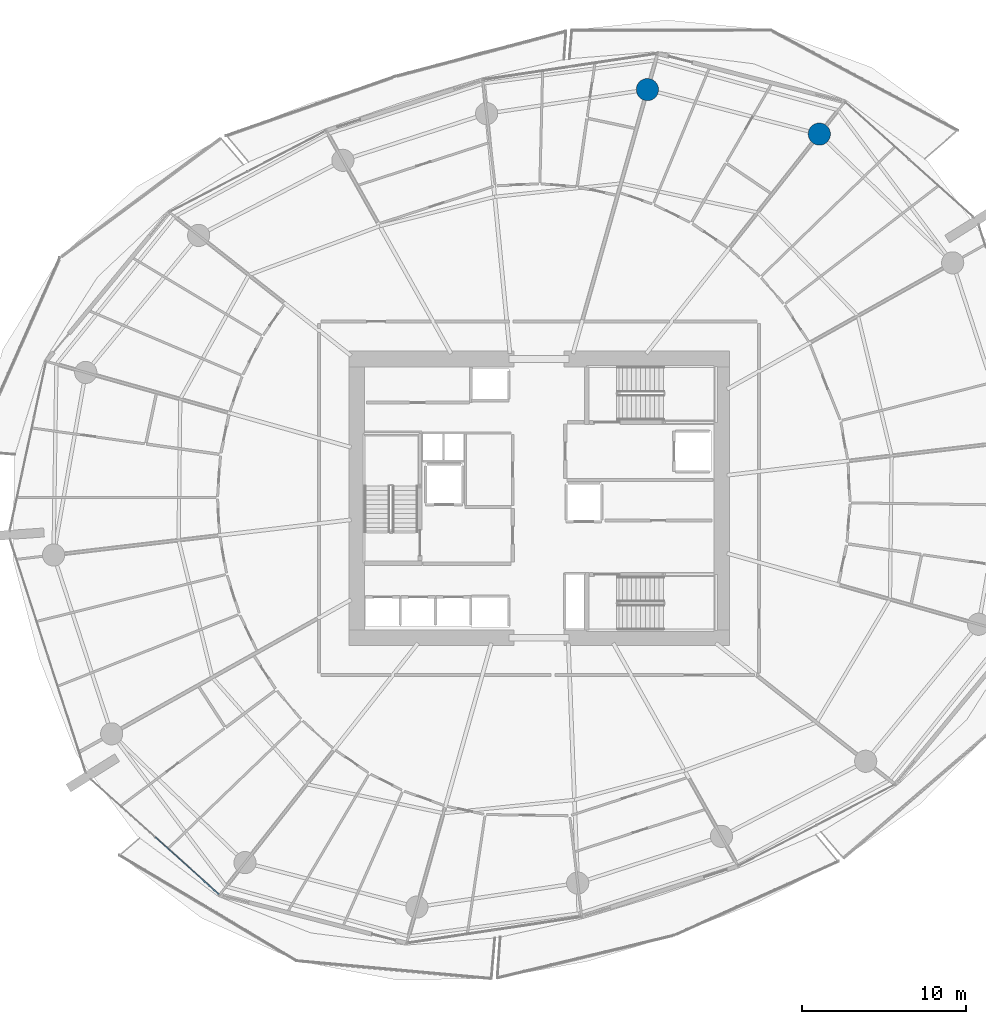
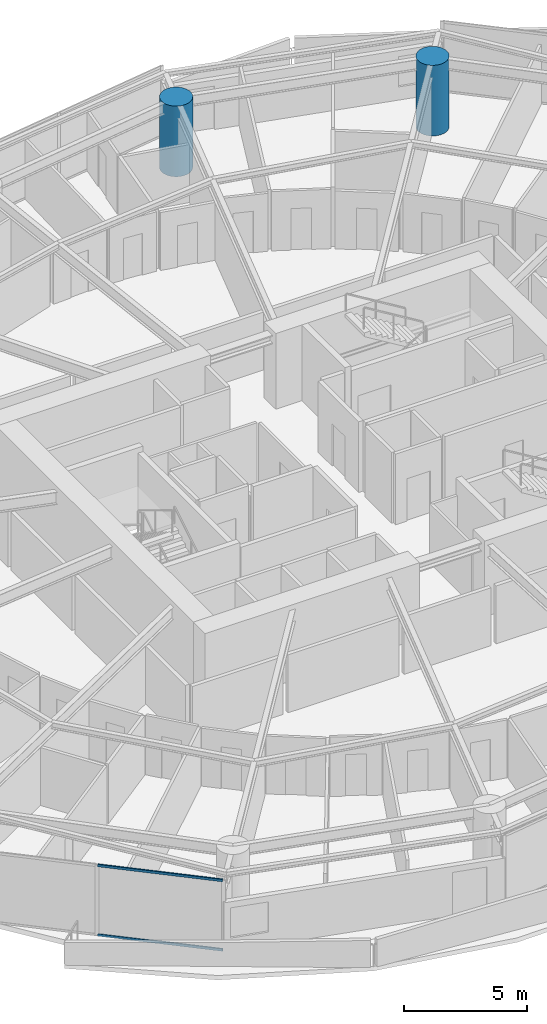
# One storey, part 6 of 31: 2 columns, 2 members, 1 element without a shape of its own.
"""IFC4 building model written with IfcOpenShell, lengths in metres."""

import ifcopenshell
import ifcopenshell.guid

model = None  # the IFC model being written
_history = None  # IfcOwnerHistory: only IFC2X3 demands one
_inside = {}  # id of a spatial element -> (the spatial element, [elements in it])
_under = {}  # id of a project, library or spatial element -> (it, [spatial elements below it])
_declared = {}  # id of a project -> (the project, [libraries it declares])
_typed = {}  # id of a type object -> (the type object, [elements of that type])
_made_of = {}  # id of a material, layer set ... -> (it, [elements and type objects made of it])


def new_model(schema):
    """Start an empty IFC model of exactly this schema.

    Asked for "IFC4X3", IfcOpenShell would pick the latest addendum, in which some entities
    have other attributes; the version numbers below select the first issue.
    IFC2X3 requires an IfcOwnerHistory on every rooted entity: one is made here for all.
    """
    global model, _history
    if schema == "IFC4X3":
        model = ifcopenshell.file(schema_version=(4, 3, 0, 0))
    else:
        model = ifcopenshell.file(schema=schema)
    _inside.clear()
    _under.clear()
    _declared.clear()
    _typed.clear()
    _made_of.clear()
    _history = None
    if model.schema == "IFC2X3":
        org = make("IfcOrganization", Name="unknown")
        user = make(
            "IfcPersonAndOrganization",
            ThePerson=make("IfcPerson", FamilyName="unknown"),
            TheOrganization=org,
        )
        app = make(
            "IfcApplication",
            ApplicationDeveloper=org,
            Version="unknown",
            ApplicationFullName="unknown",
            ApplicationIdentifier="unknown",
        )
        _history = make(
            "IfcOwnerHistory",
            OwningUser=user,
            OwningApplication=app,
            ChangeAction="ADDED",
            CreationDate=0,
        )
    return model


def make(cls, **values):
    """One entity of the class cls with the attributes given. An attribute that is None is left unset."""
    return model.create_entity(
        cls, **{name: value for name, value in values.items() if value is not None}
    )


def rooted(cls, **values):
    """An entity with a GlobalId (a new one), such as an element, a storey or a relation."""
    return make(cls, GlobalId=ifcopenshell.guid.new(), OwnerHistory=_history, **values)


def si_unit(unit_type, name, prefix=None):
    """IfcSIUnit, for example si_unit("LENGTHUNIT", "METRE", prefix="MILLI")."""
    return make("IfcSIUnit", UnitType=unit_type, Prefix=prefix, Name=name)


def assignment(units):
    """IfcUnitAssignment: the units of a project."""
    return None if units is None else make("IfcUnitAssignment", Units=units)


def point(xyz):
    """IfcCartesianPoint."""
    return None if xyz is None else make("IfcCartesianPoint", Coordinates=xyz)


def direction(xyz):
    """IfcDirection."""
    return None if xyz is None else make("IfcDirection", DirectionRatios=xyz)


def frame(location, z_axis=None, x_axis=None):
    """IfcAxis2Placement3D, a coordinate frame: its origin and axes. An axis left out is left unset."""
    return make(
        "IfcAxis2Placement3D",
        Location=point(location),
        Axis=direction(z_axis),
        RefDirection=direction(x_axis),
    )


def frame_2d(location, x_axis=None):
    """IfcAxis2Placement2D, a coordinate frame in the plane: its origin and x axis."""
    return make(
        "IfcAxis2Placement2D", Location=point(location), RefDirection=direction(x_axis)
    )


def origin():
    """The frame at (0, 0, 0) with its axes left unset."""
    return frame((0.0, 0.0, 0.0))


def origin_2d():
    """The frame at (0, 0) in the plane with its x axis left unset."""
    return frame_2d((0.0, 0.0))


def place(relative_to, where):
    """IfcLocalPlacement: puts the frame where relative to a parent placement (None: the world)."""
    return make(
        "IfcLocalPlacement", PlacementRelTo=relative_to, RelativePlacement=where
    )


def context(
    kind, dimensions, precision=None, world=None, true_north=None, identifier=None
):
    """IfcGeometricRepresentationContext, for example the 3D "Model" context."""
    return make(
        "IfcGeometricRepresentationContext",
        ContextIdentifier=identifier,
        ContextType=kind,
        CoordinateSpaceDimension=dimensions,
        Precision=precision,
        WorldCoordinateSystem=world,
        TrueNorth=true_north,
    )


def subcontext(parent, identifier, kind, view, scale=None):
    """IfcGeometricRepresentationSubContext, for example "Body" below "Model"."""
    return make(
        "IfcGeometricRepresentationSubContext",
        ContextIdentifier=identifier,
        ContextType=kind,
        ParentContext=parent,
        TargetScale=scale,
        TargetView=view,
    )


def project(units=None, contexts=None):
    """IfcProject with its units and contexts."""
    return rooted(
        "IfcProject",
        Name="project",
        RepresentationContexts=contexts,
        UnitsInContext=assignment(units),
    )


def spatial(cls, under=None, at=None, **own):
    """A site, building, storey or space (cls), placed at a placement, below another one or the project."""
    s = rooted(cls, ObjectPlacement=at, **own)
    if under is not None:
        _under.setdefault(under.id(), (under, []))[1].append(s)
    return s


def profile(cls, at=None, kind="AREA", **sizes):
    """A parametric profile (cls). Its sizes go by their IFC names, for example OverallWidth=200.0."""
    return make(cls, ProfileType=kind, Position=at, **sizes)


def rectangle(**sizes):
    """IfcRectangleProfileDef."""
    return profile("IfcRectangleProfileDef", **sizes)


def circle(**sizes):
    """IfcCircleProfileDef."""
    return profile("IfcCircleProfileDef", **sizes)


def extrude(swept, where, along, depth):
    """IfcExtrudedAreaSolid: the profile swept, set in the frame where, extruded along a direction by depth."""
    return make(
        "IfcExtrudedAreaSolid",
        SweptArea=swept,
        Position=where,
        ExtrudedDirection=direction(along),
        Depth=depth,
    )


def shape(context_of_items, identifier, shape_type, items):
    """IfcShapeRepresentation: the items that make up one representation, for example the "Body"."""
    return make(
        "IfcShapeRepresentation",
        ContextOfItems=context_of_items,
        RepresentationIdentifier=identifier,
        RepresentationType=shape_type,
        Items=items,
    )


def material(Name=None, Category=None):
    """IfcMaterial."""
    return make("IfcMaterial", Name=Name, Category=Category)


def layer(
    of_material, thickness, ventilated=None, Name=None, Category=None, Priority=None
):
    """IfcMaterialLayer: one layer of a wall or slab, of a material (None: an air gap)."""
    return make(
        "IfcMaterialLayer",
        Material=of_material,
        LayerThickness=thickness,
        IsVentilated=ventilated,
        Name=Name,
        Category=Category,
        Priority=Priority,
    )


def layer_set(layers, Name=None):
    """IfcMaterialLayerSet."""
    return make("IfcMaterialLayerSet", MaterialLayers=layers, LayerSetName=Name)


def material_profile(
    of_material, cross_section, Name=None, Category=None, Priority=None
):
    """IfcMaterialProfile: a cross section and its material."""
    return make(
        "IfcMaterialProfile",
        Name=Name,
        Material=of_material,
        Profile=cross_section,
        Priority=Priority,
        Category=Category,
    )


def profile_set(profiles, Name=None, composite=None):
    """IfcMaterialProfileSet."""
    return make(
        "IfcMaterialProfileSet",
        Name=Name,
        MaterialProfiles=profiles,
        CompositeProfile=composite,
    )


def made_of(thing, what):
    """Note that an element or type object is made of a material, layer set ...; save() writes the relation."""
    if what is not None:
        _made_of.setdefault(what.id(), (what, []))[1].append(thing)
    return thing


def type_object(cls, material=None, **own):
    """A type object (cls), such as IfcWallType, which elements share."""
    return made_of(rooted(cls, **own), material)


def element(
    cls,
    number,
    at=None,
    inside=None,
    cuts=None,
    type_object=None,
    material=None,
    context=None,
    identifier="Body",
    shape_type=None,
    held_by="IfcProductDefinitionShape",
    body=None,
    shapes=None,
    **own,
):
    """One element of the class cls, such as IfcWall. Its Tag is "e" and its number.

    at: its placement. inside: the storey or other place that contains it. cuts: it is an
    opening in that element (IfcRelVoidsElement). A single representation is given by context,
    identifier, shape_type and body (its items); several are given by shapes. held_by: the class
    of the entity that holds the representations. save() writes the other relations.
    """
    e = rooted(cls, Tag="e%d" % number, ObjectPlacement=at, **own)
    if body is not None:
        shapes = [shape(context, identifier, shape_type, body)]
    if shapes is not None:
        e.Representation = make(held_by, Representations=shapes)
    if inside is not None:
        _inside.setdefault(inside.id(), (inside, []))[1].append(e)
    if cuts is not None:
        rooted(
            "IfcRelVoidsElement", RelatingBuildingElement=cuts, RelatedOpeningElement=e
        )
    if type_object is not None:
        _typed.setdefault(type_object.id(), (type_object, []))[1].append(e)
    return made_of(e, material)


def aggregate(whole, parts):
    """IfcRelAggregates: a whole, such as a stair, and the parts it consists of."""
    return rooted("IfcRelAggregates", RelatingObject=whole, RelatedObjects=parts)


def save(model, path):
    """Write the relations noted so far, then the file.

    IfcRelAggregates (storeys below a building ...), IfcRelContainedInSpatialStructure (elements
    in a storey), IfcRelDefinesByType, IfcRelAssociatesMaterial and IfcRelDeclares: one each for
    every whole, place, type object, material and project.
    """
    for whole, parts in _under.values():
        aggregate(whole, parts)
    for where, things in _inside.values():
        rooted(
            "IfcRelContainedInSpatialStructure",
            RelatedElements=things,
            RelatingStructure=where,
        )
    for kind, things in _typed.values():
        rooted("IfcRelDefinesByType", RelatedObjects=things, RelatingType=kind)
    for what, things in _made_of.values():
        rooted("IfcRelAssociatesMaterial", RelatedObjects=things, RelatingMaterial=what)
    for by, libraries in _declared.values():
        rooted("IfcRelDeclares", RelatingContext=by, RelatedDefinitions=libraries)
    model.write(path)


model = new_model("IFC4")

# Units and contexts
model_context = context("Model", 3, precision=1e-05, world=origin(), true_north=direction((0.0, 1.0)))
body_context = subcontext(model_context, "Body", "Model", "MODEL_VIEW")
ifc_project = project(units=[si_unit("LENGTHUNIT", "METRE"), si_unit("AREAUNIT", "SQUARE_METRE"), si_unit("VOLUMEUNIT", "CUBIC_METRE"), si_unit("PLANEANGLEUNIT", "RADIAN"), si_unit("MASSUNIT", "GRAM", prefix="KILO")], contexts=[model_context])

# Site, building, storey
site_placement = place(None, origin())
site = spatial("IfcSite", under=ifc_project, at=site_placement, CompositionType="ELEMENT")
building_placement = place(site_placement, origin())
building = spatial("IfcBuilding", under=site, at=building_placement, Name="Kazma Halo Residences", CompositionType="ELEMENT")
storey_placement = place(building_placement, frame((0.0, 0.0, 45.14990234375)))
storey = spatial("IfcBuildingStorey", under=building, at=storey_placement, Name="L10", CompositionType="ELEMENT", Elevation=45.14990234375)

# Columns
ifc_material_1 = material(Name="Concrete C80/95", Category="concrete")
ifc_material_profile_1 = material_profile(ifc_material_1, circle(Radius=0.675048828125, at=origin_2d()), Name="CIRC1350")
ifc_profile_set_1 = profile_set([ifc_material_profile_1], Name="Concrete C80/95")
column_type = type_object("IfcColumnType", Name="COL-PERIM-1350", PredefinedType="COLUMN", material=ifc_profile_set_1)
for number, where, z_axis, x_axis, name in (
    (1, (65.458251953125, 64.145751953125, 0.0), (0.0, 0.0, 1.0), (1.0, 0.0, 0.0), "L10 perimeter ring column P02"),
    (2, (55.00830078125, 66.849365234375, 0.0), (0.0, 0.0, 1.0), (1.0, 0.0, 0.0), "L10 perimeter ring column P03"),
):
    element("IfcColumn", number, at=place(storey_placement, frame(where, z_axis=z_axis, x_axis=x_axis)), inside=storey, type_object=column_type, Name=name, PredefinedType="COLUMN", context=body_context, shape_type="SweptSolid", body=[
        extrude(circle(Radius=0.675048828125, at=origin_2d()), origin(), (0.0, 0.0, 1.0), 3.5),
    ])

# Curtain wall, members
ifc_material_2 = material(Name="Aluminium AW-6063 T6 and Triple-Silver Low-E Glass", Category="aluminium")
ifc_layer = layer(ifc_material_2, 0.159912109375)
ifc_layer_set = layer_set([ifc_layer], Name="Aluminium AW-6063 T6 and Triple-Silver Low-E Glass")
curtain_wall_type = type_object("IfcCurtainWallType", Name="CW-SYS-2", PredefinedType="NOTDEFINED", material=ifc_layer_set)
curtain_wall_placement = place(storey_placement, origin())
curtain_wall = element("IfcCurtainWall", 3, at=curtain_wall_placement, inside=storey, type_object=curtain_wall_type, Name="L10 unitised curtain wall B09", PredefinedType="NOTDEFINED")
ifc_material_3 = material(Name="Aluminium AW-6063 T6", Category="aluminium")
ifc_material_profile_2 = material_profile(ifc_material_3, rectangle(XDim=0.06005859375, YDim=0.1201171875, at=origin_2d()), Name="CWT-60x120")
ifc_profile_set_2 = profile_set([ifc_material_profile_2], Name="Aluminium AW-6063 T6")
member_type = type_object("IfcMemberType", Name="CW-SYS-2-TRN", PredefinedType="USERDEFINED", material=ifc_profile_set_2)
member_1_placement = place(storey_placement, frame((25.094970703125, 21.3896484375, 0.030029296875), z_axis=(0.744329408538, -0.66781264707, 0.0), x_axis=(0.66781264707, 0.744329408538, 0.0)))
member_1 = element("IfcMember", 4, at=member_1_placement, type_object=member_type, Name="CWS-2 transom 2.1", ObjectType="TRANSOM", PredefinedType="USERDEFINED", context=body_context, shape_type="SweptSolid", body=[
    extrude(rectangle(XDim=0.06005859375, YDim=0.1201171875, at=origin_2d()), origin(), (0.0, 0.0, 1.0), 5.178466796875),
])
member_2_placement = place(storey_placement, frame((25.094970703125, 21.3896484375, 3.47021484375), z_axis=(0.744329408538, -0.66781264707, 0.0), x_axis=(0.66781264707, 0.744329408538, 0.0)))
member_2 = element("IfcMember", 5, at=member_2_placement, type_object=member_type, Name="CWS-2 transom 2.2", ObjectType="TRANSOM", PredefinedType="USERDEFINED", context=body_context, shape_type="SweptSolid", body=[
    extrude(rectangle(XDim=0.06005859375, YDim=0.1201171875, at=origin_2d()), origin(), (0.0, 0.0, 1.0), 5.178466796875),
])
aggregate(curtain_wall, [member_1, member_2])

save(model, "model.ifc")
